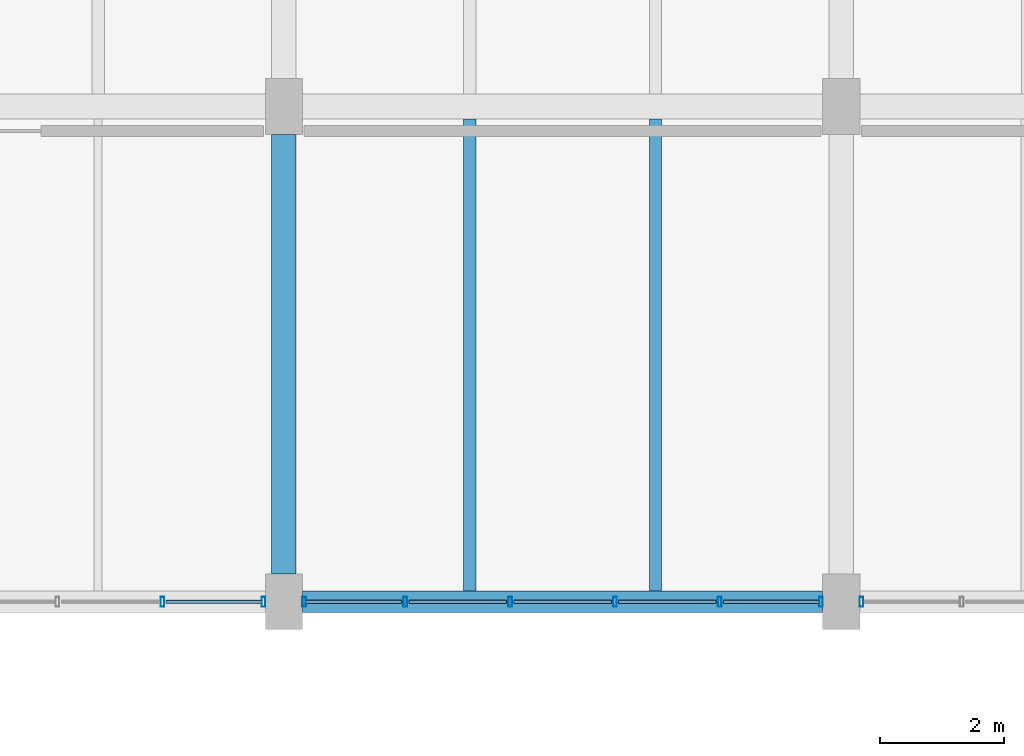
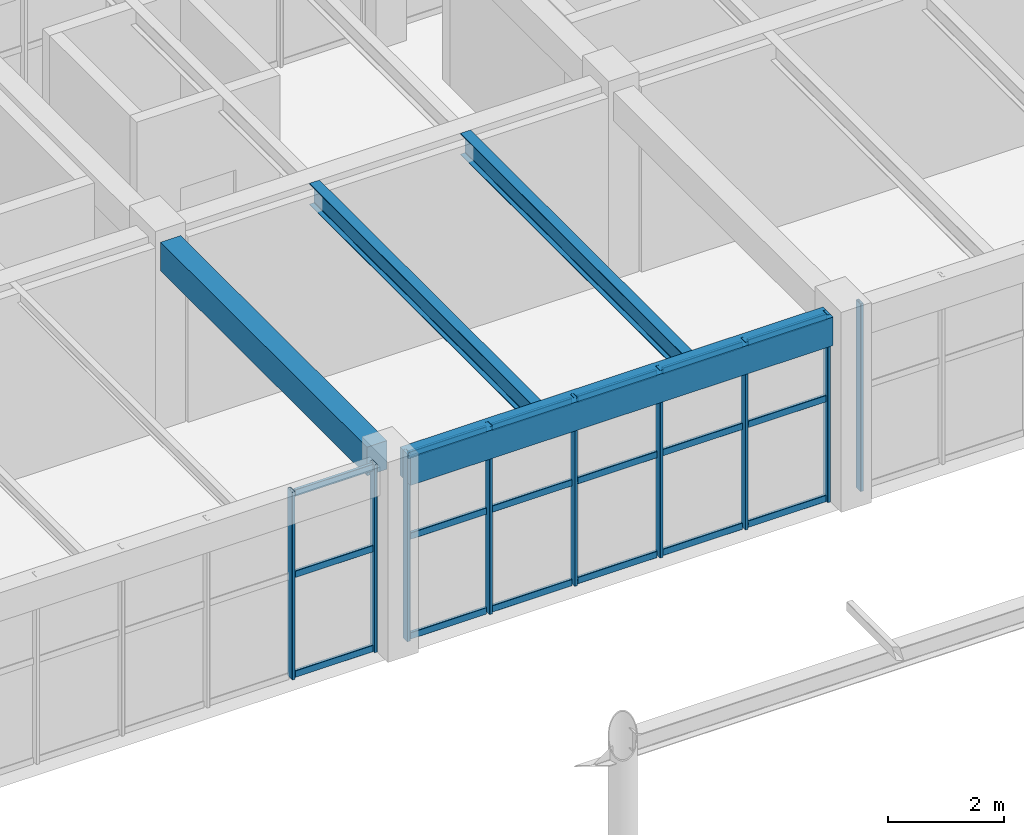
# One storey, part 64 of 148: 27 members, 4 beams, 3 elements without a shape of their own.
"""IFC4 building model written with IfcOpenShell, lengths in metres."""

from ifc_helpers import new_model, si_unit, derived_unit, direction, frame, origin, origin_2d, place, context, subcontext, project, spatial, rectangle, hollow_rectangle, i_section, extrude, material, material_profile, profile_set, type_object, element, aggregate, save


model = new_model("IFC4")

# Units and contexts
model_context = context("Model", 3, precision=1e-05, world=origin(), true_north=direction((0.0, 1.0)))
body_context = subcontext(model_context, "Body", "Model", "MODEL_VIEW")
ifc_project = project(units=[si_unit("LENGTHUNIT", "METRE"), si_unit("AREAUNIT", "SQUARE_METRE"), si_unit("VOLUMEUNIT", "CUBIC_METRE"), si_unit("PLANEANGLEUNIT", "RADIAN"), si_unit("MASSUNIT", "GRAM", prefix="KILO"), derived_unit("THERMALTRANSMITTANCEUNIT", [(si_unit("MASSUNIT", "GRAM", prefix="KILO"), 1), (si_unit("TIMEUNIT", "SECOND"), -3), (si_unit("THERMODYNAMICTEMPERATUREUNIT", "KELVIN"), -1)])], contexts=[model_context])

# Site, building, storey
site_placement = place(None, origin())
site = spatial("IfcSite", under=ifc_project, at=site_placement, CompositionType="ELEMENT")
building_placement = place(site_placement, origin())
building = spatial("IfcBuilding", under=site, at=building_placement, Name="Zhenchuan Archway Interchange", CompositionType="ELEMENT")
storey_placement = place(building_placement, frame((0.0, 0.0, 10.199951171875)))
storey = spatial("IfcBuildingStorey", under=building, at=storey_placement, Name="L02", CompositionType="ELEMENT", Elevation=10.199951171875)

# Beam
ifc_material_1 = material(Name="Concrete C40", Category="concrete")
ifc_material_profile_1 = material_profile(ifc_material_1, rectangle(XDim=0.39990234375, YDim=0.60009765625, at=origin_2d()), Name="RC 400x600")
ifc_profile_set_1 = profile_set([ifc_material_profile_1], Name="Concrete C40")
beam_type_1 = type_object("IfcBeamType", Name="BM_RC_400x600", PredefinedType="BEAM", material=ifc_profile_set_1)
beam_1_placement = place(storey_placement, frame((18.0, 96.449951171875, 3.64013671875), z_axis=(0.0, 1.0, 0.0), x_axis=(-1.0, 0.0, 0.0)))
element("IfcBeam", 1, at=beam_1_placement, inside=storey, type_object=beam_type_1, Name="Beam 3:N-O (L02)", PredefinedType="BEAM", context=body_context, shape_type="SweptSolid", body=[
    extrude(rectangle(XDim=0.39990234375, YDim=0.60009765625, at=origin_2d()), origin(), (0.0, 0.0, 1.0), 7.10009765625),
])

# Curtain wall, member
ifc_material_2 = material(Name="Anodised Aluminium", Category="aluminium")
curtain_wall_type_1 = type_object("IfcCurtainWallType", Name="CW_UNIT_4", PredefinedType="NOTDEFINED", material=ifc_material_2)
curtain_wall_1_placement = place(storey_placement, origin())
curtain_wall_1 = element("IfcCurtainWall", 2, at=curtain_wall_1_placement, inside=storey, type_object=curtain_wall_type_1, Name="Unitised curtain wall CW:L02:135", PredefinedType="NOTDEFINED")
ifc_material_profile_2 = material_profile(ifc_material_2, hollow_rectangle(XDim=0.06005859375, YDim=0.159912109375, WallThickness=0.00390625, InnerFilletRadius=0.00390625, OuterFilletRadius=0.008056640625, at=origin_2d()), Name="ALU 160x60x4")
ifc_profile_set_2 = profile_set([ifc_material_profile_2], Name="Anodised Aluminium")
member_type_1 = type_object("IfcMemberType", Name="CW_MUL_150", PredefinedType="MULLION", material=ifc_profile_set_2)
member_1_placement = place(storey_placement, frame((27.327880859375, 96.0, 0.0), z_axis=(0.0, 0.0, 1.0), x_axis=(1.0, 0.0, 0.0)))
member_1 = element("IfcMember", 3, at=member_1_placement, type_object=member_type_1, Name="CW:L02:135 mullion 5", PredefinedType="MULLION", context=body_context, shape_type="SweptSolid", body=[
    extrude(hollow_rectangle(XDim=0.06005859375, YDim=0.159912109375, WallThickness=0.00390625, InnerFilletRadius=0.00390625, OuterFilletRadius=0.008056640625, at=origin_2d()), origin(), (0.0, 0.0, 1.0), 3.93994140625),
])
aggregate(curtain_wall_1, [member_1])

# Curtain wall, members
curtain_wall_type_2 = type_object("IfcCurtainWallType", Name="CW_UNIT_1", PredefinedType="NOTDEFINED", material=ifc_material_2)
curtain_wall_2_placement = place(storey_placement, origin())
curtain_wall_2 = element("IfcCurtainWall", 4, at=curtain_wall_2_placement, inside=storey, type_object=curtain_wall_type_2, Name="Unitised curtain wall CW:L02:136", PredefinedType="NOTDEFINED")
member_2_placement = place(storey_placement, frame((26.672119140625, 96.0, 0.0), z_axis=(0.0, 0.0, 1.0), x_axis=(1.0, 0.0, 0.0)))
member_2 = element("IfcMember", 5, at=member_2_placement, type_object=member_type_1, Name="CW:L02:136 mullion 0", PredefinedType="MULLION", context=body_context, shape_type="SweptSolid", body=[
    extrude(hollow_rectangle(XDim=0.06005859375, YDim=0.159912109375, WallThickness=0.00390625, InnerFilletRadius=0.00390625, OuterFilletRadius=0.008056640625, at=origin_2d()), origin(), (0.0, 0.0, 1.0), 3.93994140625),
])
member_3_placement = place(storey_placement, frame((25.039306640625, 96.0, 0.0), z_axis=(0.0, 0.0, 1.0), x_axis=(1.0, 0.0, 0.0)))
member_3 = element("IfcMember", 6, at=member_3_placement, type_object=member_type_1, Name="CW:L02:136 mullion 1", PredefinedType="MULLION", context=body_context, shape_type="SweptSolid", body=[
    extrude(hollow_rectangle(XDim=0.06005859375, YDim=0.159912109375, WallThickness=0.00390625, InnerFilletRadius=0.00390625, OuterFilletRadius=0.008056640625, at=origin_2d()), origin(), (0.0, 0.0, 1.0), 3.93994140625),
])
member_4_placement = place(storey_placement, frame((23.346435546875, 96.0, 0.0), z_axis=(0.0, 0.0, 1.0), x_axis=(1.0, 0.0, 0.0)))
member_4 = element("IfcMember", 7, at=member_4_placement, type_object=member_type_1, Name="CW:L02:136 mullion 2", PredefinedType="MULLION", context=body_context, shape_type="SweptSolid", body=[
    extrude(hollow_rectangle(XDim=0.06005859375, YDim=0.159912109375, WallThickness=0.00390625, InnerFilletRadius=0.00390625, OuterFilletRadius=0.008056640625, at=origin_2d()), origin(), (0.0, 0.0, 1.0), 3.93994140625),
])
member_5_placement = place(storey_placement, frame((21.653564453125, 96.0, 0.0), z_axis=(0.0, 0.0, 1.0), x_axis=(1.0, 0.0, 0.0)))
member_5 = element("IfcMember", 8, at=member_5_placement, type_object=member_type_1, Name="CW:L02:136 mullion 3", PredefinedType="MULLION", context=body_context, shape_type="SweptSolid", body=[
    extrude(hollow_rectangle(XDim=0.06005859375, YDim=0.159912109375, WallThickness=0.00390625, InnerFilletRadius=0.00390625, OuterFilletRadius=0.008056640625, at=origin_2d()), origin(), (0.0, 0.0, 1.0), 3.93994140625),
])
member_6_placement = place(storey_placement, frame((19.960693359375, 96.0, 0.0), z_axis=(0.0, 0.0, 1.0), x_axis=(1.0, 0.0, 0.0)))
member_6 = element("IfcMember", 9, at=member_6_placement, type_object=member_type_1, Name="CW:L02:136 mullion 4", PredefinedType="MULLION", context=body_context, shape_type="SweptSolid", body=[
    extrude(hollow_rectangle(XDim=0.06005859375, YDim=0.159912109375, WallThickness=0.00390625, InnerFilletRadius=0.00390625, OuterFilletRadius=0.008056640625, at=origin_2d()), origin(), (0.0, 0.0, 1.0), 3.93994140625),
])
member_7_placement = place(storey_placement, frame((18.327880859375, 96.0, 0.0), z_axis=(0.0, 0.0, 1.0), x_axis=(1.0, 0.0, 0.0)))
member_7 = element("IfcMember", 10, at=member_7_placement, type_object=member_type_1, Name="CW:L02:136 mullion 5", PredefinedType="MULLION", context=body_context, shape_type="SweptSolid", body=[
    extrude(hollow_rectangle(XDim=0.06005859375, YDim=0.159912109375, WallThickness=0.00390625, InnerFilletRadius=0.00390625, OuterFilletRadius=0.008056640625, at=origin_2d()), origin(), (0.0, 0.0, 1.0), 3.93994140625),
])

curtain_wall_type_3 = type_object("IfcCurtainWallType", Name="CW_UNIT_2", PredefinedType="NOTDEFINED", material=ifc_material_2)
curtain_wall_3_placement = place(storey_placement, origin())
curtain_wall_3 = element("IfcCurtainWall", 11, at=curtain_wall_3_placement, inside=storey, type_object=curtain_wall_type_3, Name="Unitised curtain wall CW:L02:137", PredefinedType="NOTDEFINED")
member_8_placement = place(storey_placement, frame((17.672119140625, 96.0, 0.0), z_axis=(0.0, 0.0, 1.0), x_axis=(1.0, 0.0, 0.0)))
member_8 = element("IfcMember", 12, at=member_8_placement, type_object=member_type_1, Name="CW:L02:137 mullion 0", PredefinedType="MULLION", context=body_context, shape_type="SweptSolid", body=[
    extrude(hollow_rectangle(XDim=0.06005859375, YDim=0.159912109375, WallThickness=0.00390625, InnerFilletRadius=0.00390625, OuterFilletRadius=0.008056640625, at=origin_2d()), origin(), (0.0, 0.0, 1.0), 3.93994140625),
])
member_9_placement = place(storey_placement, frame((16.039306640625, 96.0, 0.0), z_axis=(0.0, 0.0, 1.0), x_axis=(1.0, 0.0, 0.0)))
member_9 = element("IfcMember", 13, at=member_9_placement, type_object=member_type_1, Name="CW:L02:137 mullion 1", PredefinedType="MULLION", context=body_context, shape_type="SweptSolid", body=[
    extrude(hollow_rectangle(XDim=0.06005859375, YDim=0.159912109375, WallThickness=0.00390625, InnerFilletRadius=0.00390625, OuterFilletRadius=0.008056640625, at=origin_2d()), origin(), (0.0, 0.0, 1.0), 3.93994140625),
])

# Member
ifc_material_profile_3 = material_profile(ifc_material_2, hollow_rectangle(XDim=0.06005859375, YDim=0.139892578125, WallThickness=0.00341796875, InnerFilletRadius=0.00341796875, OuterFilletRadius=0.007080078125, at=origin_2d()), Name="ALU 140x60x3.5")
ifc_profile_set_3 = profile_set([ifc_material_profile_3], Name="Anodised Aluminium")
member_type_2 = type_object("IfcMemberType", Name="CW_TRN_140", PredefinedType="USERDEFINED", material=ifc_profile_set_3)
member_10_placement = place(storey_placement, frame((26.652099609375, 96.0, 0.06005859375), z_axis=(-1.0, 0.0, 0.0), x_axis=(0.0, -1.0, 0.0)))
member_10 = element("IfcMember", 14, at=member_10_placement, type_object=member_type_2, Name="CW:L02:136 transom 0-1", ObjectType="TRANSOM", PredefinedType="USERDEFINED", context=body_context, shape_type="SweptSolid", body=[
    extrude(hollow_rectangle(XDim=0.06005859375, YDim=0.139892578125, WallThickness=0.00341796875, InnerFilletRadius=0.00341796875, OuterFilletRadius=0.007080078125, at=origin_2d()), origin(), (0.0, 0.0, 1.0), 1.552978515625),
])

member_11_placement = place(storey_placement, frame((26.652099609375, 96.0, 2.156005859375), z_axis=(-1.0, 0.0, 0.0), x_axis=(0.0, -1.0, 0.0)))
member_11 = element("IfcMember", 15, at=member_11_placement, type_object=member_type_2, Name="CW:L02:136 transom 0-2", ObjectType="TRANSOM", PredefinedType="USERDEFINED", context=body_context, shape_type="SweptSolid", body=[
    extrude(hollow_rectangle(XDim=0.06005859375, YDim=0.139892578125, WallThickness=0.00341796875, InnerFilletRadius=0.00341796875, OuterFilletRadius=0.007080078125, at=origin_2d()), origin(), (0.0, 0.0, 1.0), 1.552978515625),
])

member_12_placement = place(storey_placement, frame((26.652099609375, 96.0, 3.860107421875), z_axis=(-1.0, 0.0, 0.0), x_axis=(0.0, -1.0, 0.0)))
member_12 = element("IfcMember", 16, at=member_12_placement, type_object=member_type_2, Name="CW:L02:136 transom 0-3", ObjectType="TRANSOM", PredefinedType="USERDEFINED", context=body_context, shape_type="SweptSolid", body=[
    extrude(hollow_rectangle(XDim=0.06005859375, YDim=0.139892578125, WallThickness=0.00341796875, InnerFilletRadius=0.00341796875, OuterFilletRadius=0.007080078125, at=origin_2d()), origin(), (0.0, 0.0, 1.0), 1.552978515625),
])

member_13_placement = place(storey_placement, frame((24.979248046875, 96.0, 0.06005859375), z_axis=(-1.0, 0.0, 0.0), x_axis=(0.0, -1.0, 0.0)))
member_13 = element("IfcMember", 17, at=member_13_placement, type_object=member_type_2, Name="CW:L02:136 transom 1-1", ObjectType="TRANSOM", PredefinedType="USERDEFINED", context=body_context, shape_type="SweptSolid", body=[
    extrude(hollow_rectangle(XDim=0.06005859375, YDim=0.139892578125, WallThickness=0.00341796875, InnerFilletRadius=0.00341796875, OuterFilletRadius=0.007080078125, at=origin_2d()), origin(), (0.0, 0.0, 1.0), 1.57275390625),
])

member_14_placement = place(storey_placement, frame((24.979248046875, 96.0, 2.156005859375), z_axis=(-1.0, 0.0, 0.0), x_axis=(0.0, -1.0, 0.0)))
member_14 = element("IfcMember", 18, at=member_14_placement, type_object=member_type_2, Name="CW:L02:136 transom 1-2", ObjectType="TRANSOM", PredefinedType="USERDEFINED", context=body_context, shape_type="SweptSolid", body=[
    extrude(hollow_rectangle(XDim=0.06005859375, YDim=0.139892578125, WallThickness=0.00341796875, InnerFilletRadius=0.00341796875, OuterFilletRadius=0.007080078125, at=origin_2d()), origin(), (0.0, 0.0, 1.0), 1.57275390625),
])

member_15_placement = place(storey_placement, frame((24.979248046875, 96.0, 3.860107421875), z_axis=(-1.0, 0.0, 0.0), x_axis=(0.0, -1.0, 0.0)))
member_15 = element("IfcMember", 19, at=member_15_placement, type_object=member_type_2, Name="CW:L02:136 transom 1-3", ObjectType="TRANSOM", PredefinedType="USERDEFINED", context=body_context, shape_type="SweptSolid", body=[
    extrude(hollow_rectangle(XDim=0.06005859375, YDim=0.139892578125, WallThickness=0.00341796875, InnerFilletRadius=0.00341796875, OuterFilletRadius=0.007080078125, at=origin_2d()), origin(), (0.0, 0.0, 1.0), 1.57275390625),
])

member_16_placement = place(storey_placement, frame((23.286376953125, 96.0, 0.06005859375), z_axis=(-1.0, 0.0, 0.0), x_axis=(0.0, -1.0, 0.0)))
member_16 = element("IfcMember", 20, at=member_16_placement, type_object=member_type_2, Name="CW:L02:136 transom 2-1", ObjectType="TRANSOM", PredefinedType="USERDEFINED", context=body_context, shape_type="SweptSolid", body=[
    extrude(hollow_rectangle(XDim=0.06005859375, YDim=0.139892578125, WallThickness=0.00341796875, InnerFilletRadius=0.00341796875, OuterFilletRadius=0.007080078125, at=origin_2d()), origin(), (0.0, 0.0, 1.0), 1.57275390625),
])

member_17_placement = place(storey_placement, frame((23.286376953125, 96.0, 2.156005859375), z_axis=(-1.0, 0.0, 0.0), x_axis=(0.0, -1.0, 0.0)))
member_17 = element("IfcMember", 21, at=member_17_placement, type_object=member_type_2, Name="CW:L02:136 transom 2-2", ObjectType="TRANSOM", PredefinedType="USERDEFINED", context=body_context, shape_type="SweptSolid", body=[
    extrude(hollow_rectangle(XDim=0.06005859375, YDim=0.139892578125, WallThickness=0.00341796875, InnerFilletRadius=0.00341796875, OuterFilletRadius=0.007080078125, at=origin_2d()), origin(), (0.0, 0.0, 1.0), 1.57275390625),
])

member_18_placement = place(storey_placement, frame((23.286376953125, 96.0, 3.860107421875), z_axis=(-1.0, 0.0, 0.0), x_axis=(0.0, -1.0, 0.0)))
member_18 = element("IfcMember", 22, at=member_18_placement, type_object=member_type_2, Name="CW:L02:136 transom 2-3", ObjectType="TRANSOM", PredefinedType="USERDEFINED", context=body_context, shape_type="SweptSolid", body=[
    extrude(hollow_rectangle(XDim=0.06005859375, YDim=0.139892578125, WallThickness=0.00341796875, InnerFilletRadius=0.00341796875, OuterFilletRadius=0.007080078125, at=origin_2d()), origin(), (0.0, 0.0, 1.0), 1.57275390625),
])

member_19_placement = place(storey_placement, frame((21.593505859375, 96.0, 0.06005859375), z_axis=(-1.0, 0.0, 0.0), x_axis=(0.0, -1.0, 0.0)))
member_19 = element("IfcMember", 23, at=member_19_placement, type_object=member_type_2, Name="CW:L02:136 transom 3-1", ObjectType="TRANSOM", PredefinedType="USERDEFINED", context=body_context, shape_type="SweptSolid", body=[
    extrude(hollow_rectangle(XDim=0.06005859375, YDim=0.139892578125, WallThickness=0.00341796875, InnerFilletRadius=0.00341796875, OuterFilletRadius=0.007080078125, at=origin_2d()), origin(), (0.0, 0.0, 1.0), 1.57275390625),
])

member_20_placement = place(storey_placement, frame((21.593505859375, 96.0, 2.156005859375), z_axis=(-1.0, 0.0, 0.0), x_axis=(0.0, -1.0, 0.0)))
member_20 = element("IfcMember", 24, at=member_20_placement, type_object=member_type_2, Name="CW:L02:136 transom 3-2", ObjectType="TRANSOM", PredefinedType="USERDEFINED", context=body_context, shape_type="SweptSolid", body=[
    extrude(hollow_rectangle(XDim=0.06005859375, YDim=0.139892578125, WallThickness=0.00341796875, InnerFilletRadius=0.00341796875, OuterFilletRadius=0.007080078125, at=origin_2d()), origin(), (0.0, 0.0, 1.0), 1.57275390625),
])

member_21_placement = place(storey_placement, frame((21.593505859375, 96.0, 3.860107421875), z_axis=(-1.0, 0.0, 0.0), x_axis=(0.0, -1.0, 0.0)))
member_21 = element("IfcMember", 25, at=member_21_placement, type_object=member_type_2, Name="CW:L02:136 transom 3-3", ObjectType="TRANSOM", PredefinedType="USERDEFINED", context=body_context, shape_type="SweptSolid", body=[
    extrude(hollow_rectangle(XDim=0.06005859375, YDim=0.139892578125, WallThickness=0.00341796875, InnerFilletRadius=0.00341796875, OuterFilletRadius=0.007080078125, at=origin_2d()), origin(), (0.0, 0.0, 1.0), 1.57275390625),
])

member_22_placement = place(storey_placement, frame((19.90087890625, 96.0, 0.06005859375), z_axis=(-1.0, 0.0, 0.0), x_axis=(0.0, -1.0, 0.0)))
member_22 = element("IfcMember", 26, at=member_22_placement, type_object=member_type_2, Name="CW:L02:136 transom 4-1", ObjectType="TRANSOM", PredefinedType="USERDEFINED", context=body_context, shape_type="SweptSolid", body=[
    extrude(hollow_rectangle(XDim=0.06005859375, YDim=0.139892578125, WallThickness=0.00341796875, InnerFilletRadius=0.00341796875, OuterFilletRadius=0.007080078125, at=origin_2d()), origin(), (0.0, 0.0, 1.0), 1.552978515625),
])

member_23_placement = place(storey_placement, frame((19.90087890625, 96.0, 2.156005859375), z_axis=(-1.0, 0.0, 0.0), x_axis=(0.0, -1.0, 0.0)))
member_23 = element("IfcMember", 27, at=member_23_placement, type_object=member_type_2, Name="CW:L02:136 transom 4-2", ObjectType="TRANSOM", PredefinedType="USERDEFINED", context=body_context, shape_type="SweptSolid", body=[
    extrude(hollow_rectangle(XDim=0.06005859375, YDim=0.139892578125, WallThickness=0.00341796875, InnerFilletRadius=0.00341796875, OuterFilletRadius=0.007080078125, at=origin_2d()), origin(), (0.0, 0.0, 1.0), 1.552978515625),
])

member_24_placement = place(storey_placement, frame((19.90087890625, 96.0, 3.860107421875), z_axis=(-1.0, 0.0, 0.0), x_axis=(0.0, -1.0, 0.0)))
member_24 = element("IfcMember", 28, at=member_24_placement, type_object=member_type_2, Name="CW:L02:136 transom 4-3", ObjectType="TRANSOM", PredefinedType="USERDEFINED", context=body_context, shape_type="SweptSolid", body=[
    extrude(hollow_rectangle(XDim=0.06005859375, YDim=0.139892578125, WallThickness=0.00341796875, InnerFilletRadius=0.00341796875, OuterFilletRadius=0.007080078125, at=origin_2d()), origin(), (0.0, 0.0, 1.0), 1.552978515625),
])

aggregate(curtain_wall_2, [member_2, member_3, member_4, member_5, member_6, member_7, member_10, member_11, member_12, member_13, member_14, member_15, member_16, member_17, member_18, member_19, member_20, member_21, member_22, member_23, member_24])

member_25_placement = place(storey_placement, frame((17.652099609375, 96.0, 0.06005859375), z_axis=(-1.0, 0.0, 0.0), x_axis=(0.0, -1.0, 0.0)))
member_25 = element("IfcMember", 29, at=member_25_placement, type_object=member_type_2, Name="CW:L02:137 transom 0-1", ObjectType="TRANSOM", PredefinedType="USERDEFINED", context=body_context, shape_type="SweptSolid", body=[
    extrude(hollow_rectangle(XDim=0.06005859375, YDim=0.139892578125, WallThickness=0.00341796875, InnerFilletRadius=0.00341796875, OuterFilletRadius=0.007080078125, at=origin_2d()), origin(), (0.0, 0.0, 1.0), 1.552978515625),
])

member_26_placement = place(storey_placement, frame((17.652099609375, 96.0, 2.156005859375), z_axis=(-1.0, 0.0, 0.0), x_axis=(0.0, -1.0, 0.0)))
member_26 = element("IfcMember", 30, at=member_26_placement, type_object=member_type_2, Name="CW:L02:137 transom 0-2", ObjectType="TRANSOM", PredefinedType="USERDEFINED", context=body_context, shape_type="SweptSolid", body=[
    extrude(hollow_rectangle(XDim=0.06005859375, YDim=0.139892578125, WallThickness=0.00341796875, InnerFilletRadius=0.00341796875, OuterFilletRadius=0.007080078125, at=origin_2d()), origin(), (0.0, 0.0, 1.0), 1.552978515625),
])

member_27_placement = place(storey_placement, frame((17.652099609375, 96.0, 3.860107421875), z_axis=(-1.0, 0.0, 0.0), x_axis=(0.0, -1.0, 0.0)))
member_27 = element("IfcMember", 31, at=member_27_placement, type_object=member_type_2, Name="CW:L02:137 transom 0-3", ObjectType="TRANSOM", PredefinedType="USERDEFINED", context=body_context, shape_type="SweptSolid", body=[
    extrude(hollow_rectangle(XDim=0.06005859375, YDim=0.139892578125, WallThickness=0.00341796875, InnerFilletRadius=0.00341796875, OuterFilletRadius=0.007080078125, at=origin_2d()), origin(), (0.0, 0.0, 1.0), 1.552978515625),
])

aggregate(curtain_wall_3, [member_8, member_9, member_25, member_26, member_27])

# Beams
ifc_material_3 = material(Name="Steel Q355", Category="steel")
ifc_material_profile_4 = material_profile(ifc_material_3, i_section(OverallWidth=0.199951171875, OverallDepth=0.449951171875, WebThickness=0.009033203125, FlangeThickness=0.013916015625, FilletRadius=0.01806640625, at=origin_2d()), Name="HN 450x200")
ifc_profile_set_4 = profile_set([ifc_material_profile_4], Name="Steel Q355")
beam_type_2 = type_object("IfcBeamType", Name="JST_STL_HN450", PredefinedType="JOIST", material=ifc_profile_set_4)
for number, where, z_axis, x_axis, name in (
    (32, (21.0, 96.175048828125, 3.715087890625), (0.0, 1.0, 0.0), (-1.0, 0.0, 0.0), "Secondary joist 3-4/N-O #1 (L02)"),
    (33, (24.0, 96.175048828125, 3.715087890625), (0.0, 1.0, 0.0), (-1.0, 0.0, 0.0), "Secondary joist 3-4/N-O #2 (L02)"),
):
    element("IfcBeam", number, at=place(storey_placement, frame(where, z_axis=z_axis, x_axis=x_axis)), inside=storey, type_object=beam_type_2, Name=name, PredefinedType="JOIST", context=body_context, shape_type="SweptSolid", body=[
        extrude(i_section(OverallWidth=0.199951171875, OverallDepth=0.449951171875, WebThickness=0.009033203125, FlangeThickness=0.013916015625, FilletRadius=0.01806640625, at=origin_2d()), origin(), (0.0, 0.0, 1.0), 7.625),
    ])
ifc_material_profile_5 = material_profile(ifc_material_1, rectangle(XDim=0.35009765625, YDim=0.60009765625, at=origin_2d()), Name="RC 350x600")
ifc_profile_set_5 = profile_set([ifc_material_profile_5], Name="Concrete C40")
beam_type_3 = type_object("IfcBeamType", Name="SP_RC_350x600", PredefinedType="SPANDREL", material=ifc_profile_set_5)
beam_2_placement = place(storey_placement, frame((18.300048828125, 96.0, 3.64013671875), z_axis=(1.0, 0.0, 0.0), x_axis=(0.0, 1.0, 0.0)))
element("IfcBeam", 34, at=beam_2_placement, inside=storey, type_object=beam_type_3, Name="Beam N:3-4 (L02)", PredefinedType="SPANDREL", context=body_context, shape_type="SweptSolid", body=[
    extrude(rectangle(XDim=0.35009765625, YDim=0.60009765625, at=origin_2d()), origin(), (0.0, 0.0, 1.0), 8.39990234375),
])

save(model, "model.ifc")
